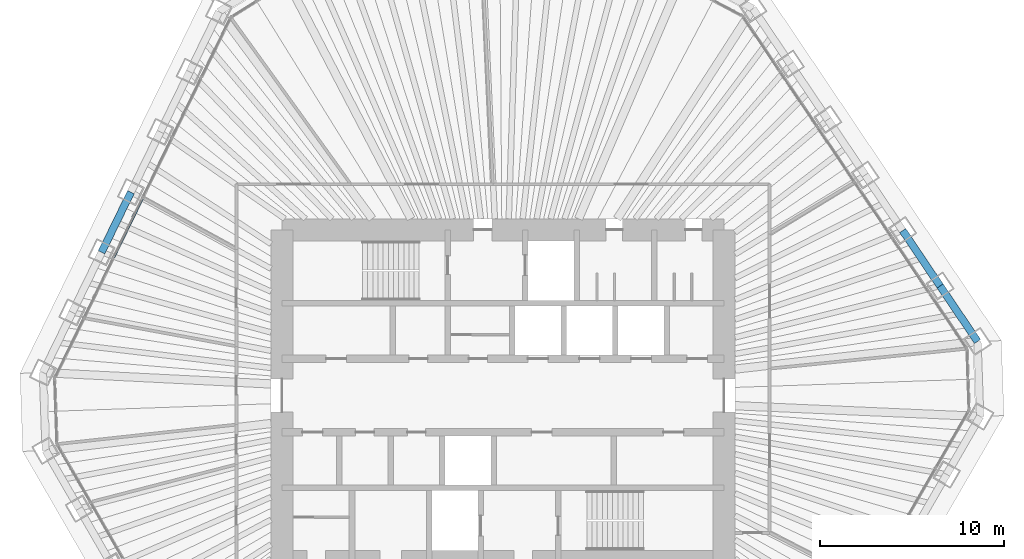
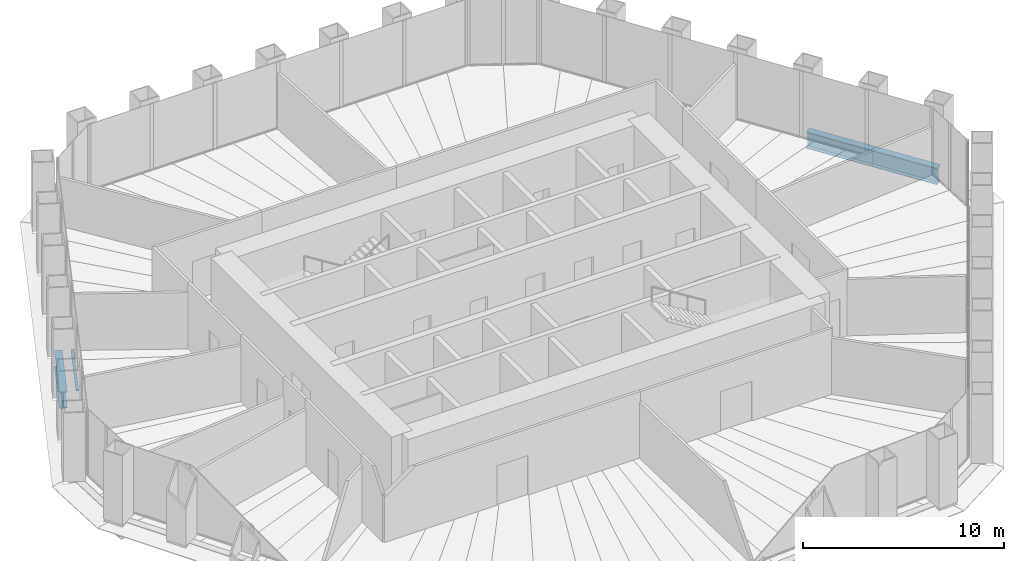
# One storey, part 5 of 13: 3 beams, 1 member, 1 element without a shape of its own.
"""IFC4 building model written with IfcOpenShell, lengths in metres."""

from ifc_helpers import new_model, si_unit, direction, frame, origin, origin_2d, place, context, subcontext, project, spatial, rectangle, i_section, extrude, material, material_profile, profile_set, type_object, element, aggregate, save


model = new_model("IFC4")

# Units and contexts
model_context = context("Model", 3, precision=1e-05, world=origin(), true_north=direction((0.0, 1.0)))
body_context = subcontext(model_context, "Body", "Model", "MODEL_VIEW")
ifc_project = project(units=[si_unit("LENGTHUNIT", "METRE"), si_unit("AREAUNIT", "SQUARE_METRE"), si_unit("VOLUMEUNIT", "CUBIC_METRE"), si_unit("PLANEANGLEUNIT", "RADIAN"), si_unit("MASSUNIT", "GRAM", prefix="KILO")], contexts=[model_context])

# Site, building, storey
site_placement = place(None, origin())
site = spatial("IfcSite", under=ifc_project, at=site_placement, CompositionType="ELEMENT")
building_placement = place(site_placement, origin())
building = spatial("IfcBuilding", under=site, at=building_placement, Name="Qingtian Harvest Tower", CompositionType="ELEMENT")
storey_placement = place(building_placement, frame((0.0, 0.0, 218.199951171875)))
storey = spatial("IfcBuildingStorey", under=building, at=storey_placement, Name="L47", CompositionType="ELEMENT", Elevation=218.199951171875)

# Beams
ifc_material_1 = material(Name="Steel SN490B", Category="steel")
ifc_material_profile_1 = material_profile(ifc_material_1, i_section(OverallWidth=0.39990234375, OverallDepth=1.0, WebThickness=0.01904296875, FlangeThickness=0.035888671875, at=origin_2d()), Name="H1000x400x19x36")
ifc_profile_set_1 = profile_set([ifc_material_profile_1], Name="Steel SN490B")
beam_type = type_object("IfcBeamType", Name="Spandrel beam SB3 H1000x400x19x36", PredefinedType="SPANDREL", material=ifc_profile_set_1)
beam_1_placement = place(storey_placement, frame((21.69873046875, 8.9609375, -0.5), z_axis=(0.55920395902, -0.829030115385, 0.0), x_axis=(0.829030115385, 0.55920395902, 0.0)))
element("IfcBeam", 1, at=beam_1_placement, inside=storey, type_object=beam_type, Name="Spandrel SB3 NE4", PredefinedType="SPANDREL", context=body_context, shape_type="SweptSolid", body=[
    extrude(i_section(OverallWidth=0.39990234375, OverallDepth=1.0, WebThickness=0.01904296875, FlangeThickness=0.035888671875, at=origin_2d()), origin(), (0.0, 0.0, 1.0), 3.6337890625),
])
beam_2_placement = place(storey_placement, frame((23.730712890625, 5.948486328125, -0.5), z_axis=(0.559188928021, -0.829040254016, 0.0), x_axis=(0.829040254016, 0.559188928021, 0.0)))
element("IfcBeam", 2, at=beam_2_placement, inside=storey, type_object=beam_type, Name="Spandrel SB3 NE5", PredefinedType="SPANDREL", context=body_context, shape_type="SweptSolid", body=[
    extrude(i_section(OverallWidth=0.39990234375, OverallDepth=1.0, WebThickness=0.01904296875, FlangeThickness=0.035888671875, at=origin_2d()), origin(), (0.0, 0.0, 1.0), 3.63330078125),
])
beam_3_placement = place(storey_placement, frame((-21.79541015625, 7.779541015625, -0.5), z_axis=(0.438349498419, 0.898804604592, 0.0), x_axis=(-0.898804604592, 0.438349498419, 0.0)))
element("IfcBeam", 3, at=beam_3_placement, inside=storey, type_object=beam_type, Name="Spandrel SB3 NW2", PredefinedType="SPANDREL", context=body_context, shape_type="SweptSolid", body=[
    extrude(i_section(OverallWidth=0.39990234375, OverallDepth=1.0, WebThickness=0.01904296875, FlangeThickness=0.035888671875, at=origin_2d()), origin(), (0.0, 0.0, 1.0), 3.633544921875),
])

# Curtain wall, member
ifc_material_2 = material(Name="Bronze-anodised aluminium curtain wall", Category="aluminium")
curtain_wall_type = type_object("IfcCurtainWallType", Name="Curtain wall CW4 office", PredefinedType="USERDEFINED", material=ifc_material_2)
curtain_wall_placement = place(storey_placement, origin())
curtain_wall = element("IfcCurtainWall", 4, at=curtain_wall_placement, inside=storey, type_object=curtain_wall_type, Name="Curtain wall CW4 L47 NW0-5", ObjectType="RECESSED CURTAIN WALL", PredefinedType="USERDEFINED")
ifc_material_3 = material(Name="Bronze-anodised aluminium transom", Category="aluminium")
ifc_material_profile_2 = material_profile(ifc_material_3, rectangle(XDim=0.14990234375, YDim=0.06494140625, at=origin_2d()), Name="AL 65x150")
ifc_profile_set_2 = profile_set([ifc_material_profile_2], Name="Bronze-anodised aluminium transom")
member_type = type_object("IfcMemberType", Name="Transom CWT 65x150", PredefinedType="USERDEFINED", material=ifc_profile_set_2)
member_placement = place(storey_placement, frame((-21.152099609375, 7.501953125, 0.032470703125), z_axis=(0.438380500422, 0.898789484167, 0.0), x_axis=(-0.898789484167, 0.438380500422, 0.0)))
member = element("IfcMember", 5, at=member_placement, type_object=member_type, Name="CW4 transom 3.1", ObjectType="TRANSOM", PredefinedType="USERDEFINED", context=body_context, shape_type="SweptSolid", body=[
    extrude(rectangle(XDim=0.14990234375, YDim=0.06494140625, at=origin_2d()), origin(), (0.0, 0.0, 1.0), 3.568603515625),
])
aggregate(curtain_wall, [member])

save(model, "model.ifc")
